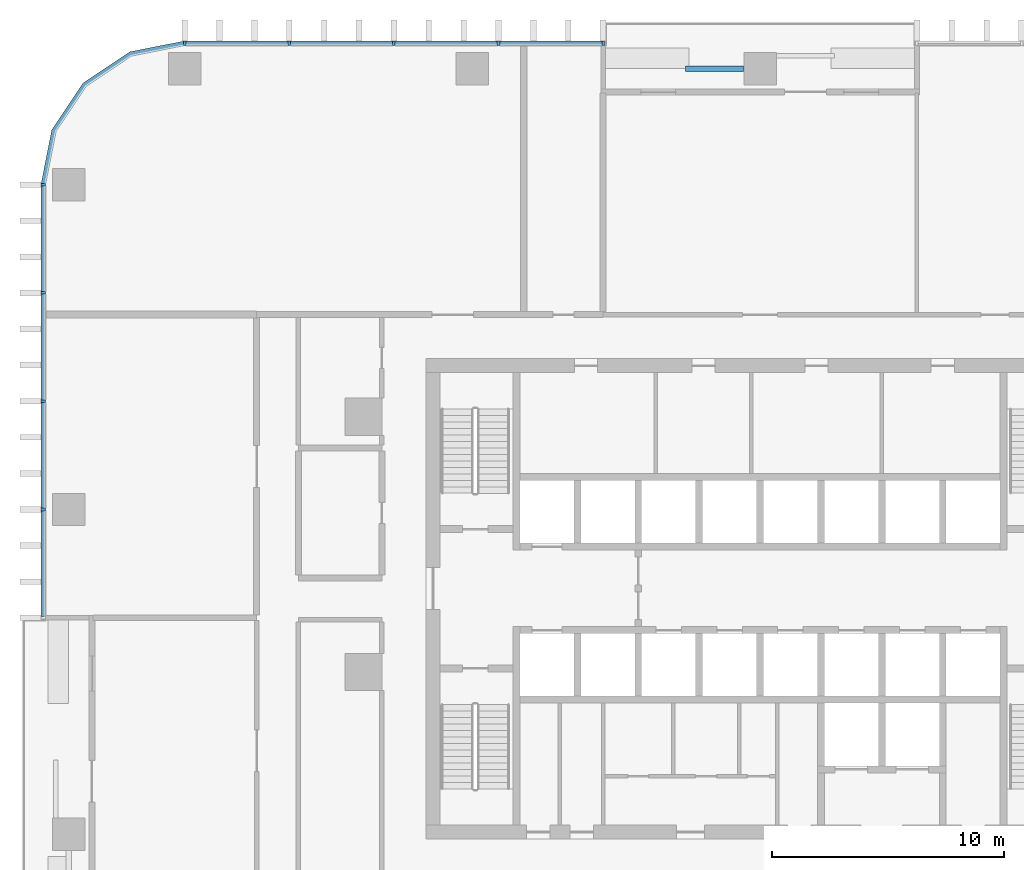
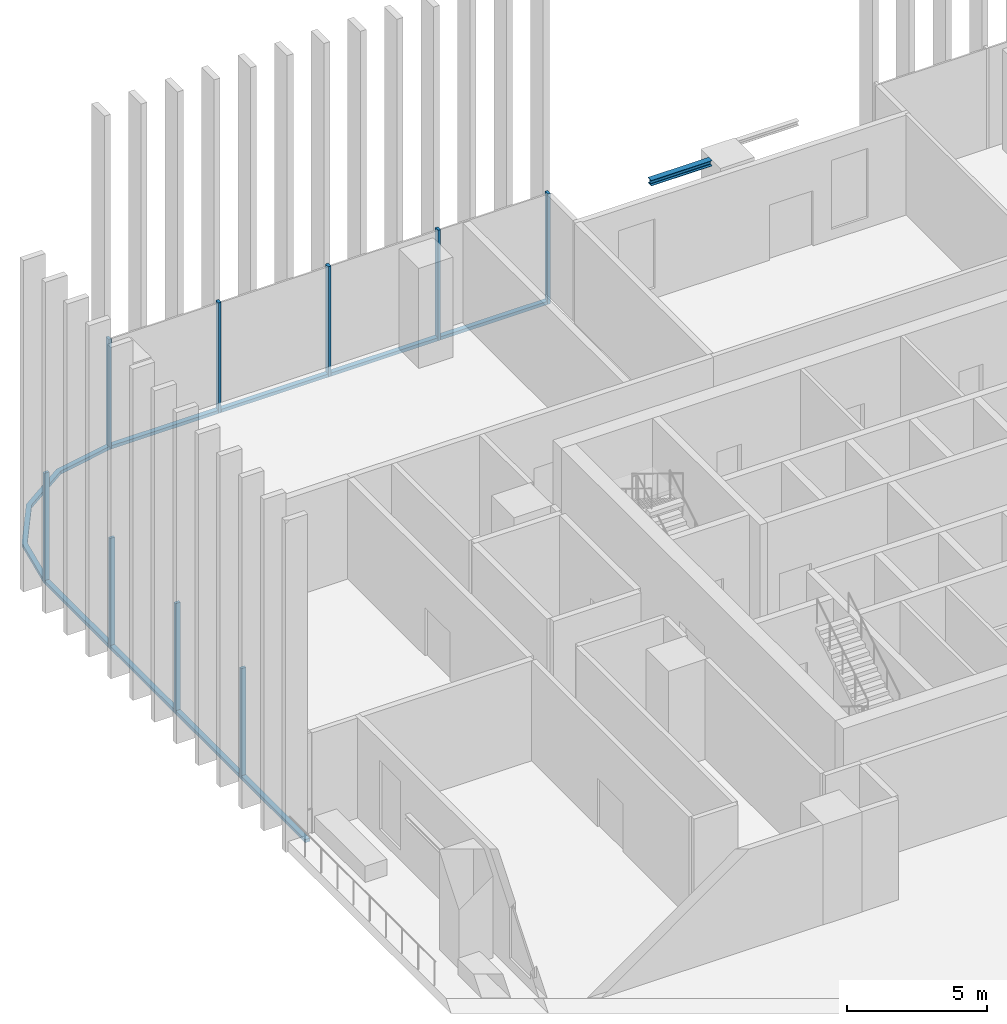
# One storey, part 4 of 17: 18 members, 1 beam, 3 elements without a shape of their own.
"""IFC4 building model written with IfcOpenShell, lengths in metres."""

from ifc_helpers import new_model, si_unit, direction, frame, origin, origin_2d, place, context, subcontext, project, spatial, polyline, rectangle, i_section, outline, extrude, material, material_profile, profile_set, type_object, element, aggregate, save


model = new_model("IFC4")

# Units and contexts
model_context = context("Model", 3, precision=1e-05, world=origin(), true_north=direction((0.0, 1.0)))
body_context = subcontext(model_context, "Body", "Model", "MODEL_VIEW")
ifc_project = project(units=[si_unit("LENGTHUNIT", "METRE"), si_unit("AREAUNIT", "SQUARE_METRE"), si_unit("VOLUMEUNIT", "CUBIC_METRE"), si_unit("PLANEANGLEUNIT", "RADIAN"), si_unit("MASSUNIT", "GRAM", prefix="KILO")], contexts=[model_context])

# Site, building, storey
site_placement = place(None, origin())
site = spatial("IfcSite", under=ifc_project, at=site_placement, CompositionType="ELEMENT")
building_placement = place(site_placement, origin())
building = spatial("IfcBuilding", under=site, at=building_placement, Name="Mopane Tessera Tower", CompositionType="ELEMENT")
storey_placement = place(building_placement, frame((0.0, 0.0, 31.0)))
storey = spatial("IfcBuildingStorey", under=building, at=storey_placement, Name="L05", CompositionType="ELEMENT", Elevation=31.0)

# Curtain wall, members
ifc_material_1 = material(Name="Aluminium frame", Category="aluminium")
curtain_wall_type = type_object("IfcCurtainWallType", Name="Lower tower unitised wall", PredefinedType="NOTDEFINED", material=ifc_material_1)
curtain_wall_1_placement = place(storey_placement, origin())
curtain_wall_1 = element("IfcCurtainWall", 1, at=curtain_wall_1_placement, inside=storey, type_object=curtain_wall_type, Name="e:cw:L05:N:7", PredefinedType="NOTDEFINED")
ifc_material_2 = material(Name="Aluminium frame", Category="aluminium")
ifc_material_profile_1 = material_profile(ifc_material_2, rectangle(XDim=0.110107421875, YDim=0.199951171875, at=origin_2d()))
ifc_profile_set_1 = profile_set([ifc_material_profile_1], Name="Aluminium frame")
member_type_1 = type_object("IfcMemberType", Name="Aluminium mullion 110 x 200", PredefinedType="MULLION", material=ifc_profile_set_1)
member_1_placement = place(storey_placement, frame((-6.763671875, 27.10009765625, -0.449951171875), z_axis=(0.0, 0.0, 1.0), x_axis=(-1.0, 0.0, 0.0)))
member_1 = element("IfcMember", 2, at=member_1_placement, type_object=member_type_1, Name="e:cw:L05:N:7:mu7", PredefinedType="MULLION", context=body_context, shape_type="SweptSolid", body=[
    extrude(rectangle(XDim=0.110107421875, YDim=0.199951171875, at=origin_2d()), origin(), (0.0, 0.0, 1.0), 4.800048828125),
])
member_2_placement = place(storey_placement, frame((-11.272705078125, 27.10009765625, -0.449951171875), z_axis=(0.0, 0.0, 1.0), x_axis=(-1.0, 0.0, 0.0)))
member_2 = element("IfcMember", 3, at=member_2_placement, type_object=member_type_1, Name="e:cw:L05:N:7:mu8", PredefinedType="MULLION", context=body_context, shape_type="SweptSolid", body=[
    extrude(rectangle(XDim=0.110107421875, YDim=0.199951171875, at=origin_2d()), origin(), (0.0, 0.0, 1.0), 4.800048828125),
])
member_3_placement = place(storey_placement, frame((-15.78173828125, 27.10009765625, -0.449951171875), z_axis=(0.0, 0.0, 1.0), x_axis=(-1.0, 0.0, 0.0)))
member_3 = element("IfcMember", 4, at=member_3_placement, type_object=member_type_1, Name="e:cw:L05:N:7:mu9", PredefinedType="MULLION", context=body_context, shape_type="SweptSolid", body=[
    extrude(rectangle(XDim=0.110107421875, YDim=0.199951171875, at=origin_2d()), origin(), (0.0, 0.0, 1.0), 4.800048828125),
])
member_4_placement = place(storey_placement, frame((-20.291015625, 27.10009765625, -0.449951171875), z_axis=(0.0, 0.0, 1.0), x_axis=(-1.0, 0.0, 0.0)))
member_4 = element("IfcMember", 5, at=member_4_placement, type_object=member_type_1, Name="e:cw:L05:N:7:mu10", PredefinedType="MULLION", context=body_context, shape_type="SweptSolid", body=[
    extrude(rectangle(XDim=0.110107421875, YDim=0.199951171875, at=origin_2d()), origin(), (0.0, 0.0, 1.0), 4.800048828125),
])
member_5_placement = place(storey_placement, frame((-24.800048828125, 27.10009765625, -0.449951171875), z_axis=(0.0, 0.0, 1.0), x_axis=(-1.0, 0.0, 0.0)))
member_5 = element("IfcMember", 6, at=member_5_placement, type_object=member_type_1, Name="e:cw:L05:N:7:mu11", PredefinedType="MULLION", context=body_context, shape_type="SweptSolid", body=[
    extrude(rectangle(XDim=0.110107421875, YDim=0.199951171875, at=origin_2d()), origin(), (0.0, 0.0, 1.0), 4.800048828125),
])

curtain_wall_2_placement = place(storey_placement, origin())
curtain_wall_2 = element("IfcCurtainWall", 7, at=curtain_wall_2_placement, inside=storey, type_object=curtain_wall_type, Name="e:cw:L05:W:0", PredefinedType="NOTDEFINED")
member_6_placement = place(storey_placement, frame((-30.89990234375, 21.0, -0.449951171875), z_axis=(0.0, 0.0, 1.0), x_axis=(0.0, -1.0, 0.0)))
member_6 = element("IfcMember", 8, at=member_6_placement, type_object=member_type_1, Name="e:cw:L05:W:0:mu0", PredefinedType="MULLION", context=body_context, shape_type="SweptSolid", body=[
    extrude(rectangle(XDim=0.110107421875, YDim=0.199951171875, at=origin_2d()), origin(), (0.0, 0.0, 1.0), 4.800048828125),
])
member_7_placement = place(storey_placement, frame((-30.89990234375, 16.333251953125, -0.449951171875), z_axis=(0.0, 0.0, 1.0), x_axis=(0.0, -1.0, 0.0)))
member_7 = element("IfcMember", 9, at=member_7_placement, type_object=member_type_1, Name="e:cw:L05:W:0:mu1", PredefinedType="MULLION", context=body_context, shape_type="SweptSolid", body=[
    extrude(rectangle(XDim=0.110107421875, YDim=0.199951171875, at=origin_2d()), origin(), (0.0, 0.0, 1.0), 4.800048828125),
])
member_8_placement = place(storey_placement, frame((-30.89990234375, 11.666748046875, -0.449951171875), z_axis=(0.0, 0.0, 1.0), x_axis=(0.0, -1.0, 0.0)))
member_8 = element("IfcMember", 10, at=member_8_placement, type_object=member_type_1, Name="e:cw:L05:W:0:mu2", PredefinedType="MULLION", context=body_context, shape_type="SweptSolid", body=[
    extrude(rectangle(XDim=0.110107421875, YDim=0.199951171875, at=origin_2d()), origin(), (0.0, 0.0, 1.0), 4.800048828125),
])
member_9_placement = place(storey_placement, frame((-30.89990234375, 7.0, -0.449951171875), z_axis=(0.0, 0.0, 1.0), x_axis=(0.0, -1.0, 0.0)))
member_9 = element("IfcMember", 11, at=member_9_placement, type_object=member_type_1, Name="e:cw:L05:W:0:mu3", PredefinedType="MULLION", context=body_context, shape_type="SweptSolid", body=[
    extrude(rectangle(XDim=0.110107421875, YDim=0.199951171875, at=origin_2d()), origin(), (0.0, 0.0, 1.0), 4.800048828125),
])

# Member
ifc_material_3 = material(Name="Aluminium frame", Category="aluminium")
ifc_material_profile_2 = material_profile(ifc_material_3, rectangle(XDim=0.199951171875, YDim=0.139892578125, at=origin_2d()))
ifc_profile_set_2 = profile_set([ifc_material_profile_2], Name="Aluminium frame")
member_type_2 = type_object("IfcMemberType", Name="Aluminium transom 200 x 140", PredefinedType="USERDEFINED", material=ifc_profile_set_2)
member_10_placement = place(storey_placement, frame((-6.818603515625, 27.10009765625, -0.3798828125), z_axis=(-1.0, 0.0, 0.0), x_axis=(0.0, -1.0, 0.0)))
member_10 = element("IfcMember", 12, at=member_10_placement, type_object=member_type_2, Name="e:cw:L05:N:7:tr7", ObjectType="TRANSOM", PredefinedType="USERDEFINED", context=body_context, shape_type="SweptSolid", body=[
    extrude(rectangle(XDim=0.199951171875, YDim=0.139892578125, at=origin_2d()), origin(), (0.0, 0.0, 1.0), 4.399169921875),
])

member_11_placement = place(storey_placement, frame((-11.32763671875, 27.10009765625, -0.3798828125), z_axis=(-1.0, 0.0, 0.0), x_axis=(0.0, -1.0, 0.0)))
member_11 = element("IfcMember", 13, at=member_11_placement, type_object=member_type_2, Name="e:cw:L05:N:7:tr8", ObjectType="TRANSOM", PredefinedType="USERDEFINED", context=body_context, shape_type="SweptSolid", body=[
    extrude(rectangle(XDim=0.199951171875, YDim=0.139892578125, at=origin_2d()), origin(), (0.0, 0.0, 1.0), 4.399169921875),
])

member_12_placement = place(storey_placement, frame((-15.8369140625, 27.10009765625, -0.3798828125), z_axis=(-1.0, 0.0, 0.0), x_axis=(0.0, -1.0, 0.0)))
member_12 = element("IfcMember", 14, at=member_12_placement, type_object=member_type_2, Name="e:cw:L05:N:7:tr9", ObjectType="TRANSOM", PredefinedType="USERDEFINED", context=body_context, shape_type="SweptSolid", body=[
    extrude(rectangle(XDim=0.199951171875, YDim=0.139892578125, at=origin_2d()), origin(), (0.0, 0.0, 1.0), 4.39892578125),
])

member_13_placement = place(storey_placement, frame((-20.345947265625, 27.10009765625, -0.3798828125), z_axis=(-1.0, 0.0, 0.0), x_axis=(0.0, -1.0, 0.0)))
member_13 = element("IfcMember", 15, at=member_13_placement, type_object=member_type_2, Name="e:cw:L05:N:7:tr10", ObjectType="TRANSOM", PredefinedType="USERDEFINED", context=body_context, shape_type="SweptSolid", body=[
    extrude(rectangle(XDim=0.199951171875, YDim=0.139892578125, at=origin_2d()), origin(), (0.0, 0.0, 1.0), 4.399169921875),
])

aggregate(curtain_wall_1, [member_1, member_2, member_3, member_4, member_5, member_10, member_11, member_12, member_13])

# Curtain wall, member
curtain_wall_3_placement = place(storey_placement, origin())
curtain_wall_3 = element("IfcCurtainWall", 16, at=curtain_wall_3_placement, inside=storey, type_object=curtain_wall_type, Name="e:cw:L05:CN", PredefinedType="NOTDEFINED")
member_14_placement = place(storey_placement, frame((0.0, 0.0, -0.449951171875)))
member_14 = element("IfcMember", 17, at=member_14_placement, type_object=member_type_2, Name="e:cw:L05:CN:tr", ObjectType="TRANSOM", PredefinedType="USERDEFINED", context=body_context, shape_type="SweptSolid", body=[
    extrude(outline(polyline([(-24.800048828125, 27.0), (-27.09619140625, 26.543212890625), (-29.042724609375, 25.24267578125), (-30.34326171875, 23.296142578125), (-30.800048828125, 21.0), (-31.0, 21.0), (-30.528076171875, 23.37255859375), (-29.18408203125, 25.384033203125), (-27.172607421875, 26.72802734375), (-24.800048828125, 27.199951171875), (-24.800048828125, 27.0)])), origin(), (0.0, 0.0, 1.0), 0.139892578125),
])
aggregate(curtain_wall_3, [member_14])

# Member
member_15_placement = place(storey_placement, frame((-30.89990234375, 20.945068359375, -0.3798828125), z_axis=(0.0, -1.0, 0.0), x_axis=(1.0, 0.0, 0.0)))
member_15 = element("IfcMember", 18, at=member_15_placement, type_object=member_type_2, Name="e:cw:L05:W:0:tr0", ObjectType="TRANSOM", PredefinedType="USERDEFINED", context=body_context, shape_type="SweptSolid", body=[
    extrude(rectangle(XDim=0.199951171875, YDim=0.139892578125, at=origin_2d()), origin(), (0.0, 0.0, 1.0), 4.556640625),
])

member_16_placement = place(storey_placement, frame((-30.89990234375, 16.2783203125, -0.3798828125), z_axis=(0.0, -1.0, 0.0), x_axis=(1.0, 0.0, 0.0)))
member_16 = element("IfcMember", 19, at=member_16_placement, type_object=member_type_2, Name="e:cw:L05:W:0:tr1", ObjectType="TRANSOM", PredefinedType="USERDEFINED", context=body_context, shape_type="SweptSolid", body=[
    extrude(rectangle(XDim=0.199951171875, YDim=0.139892578125, at=origin_2d()), origin(), (0.0, 0.0, 1.0), 4.556640625),
])

member_17_placement = place(storey_placement, frame((-30.89990234375, 11.611572265625, -0.3798828125), z_axis=(0.0, -1.0, 0.0), x_axis=(1.0, 0.0, 0.0)))
member_17 = element("IfcMember", 20, at=member_17_placement, type_object=member_type_2, Name="e:cw:L05:W:0:tr2", ObjectType="TRANSOM", PredefinedType="USERDEFINED", context=body_context, shape_type="SweptSolid", body=[
    extrude(rectangle(XDim=0.199951171875, YDim=0.139892578125, at=origin_2d()), origin(), (0.0, 0.0, 1.0), 4.556640625),
])

member_18_placement = place(storey_placement, frame((-30.89990234375, 6.945068359375, -0.3798828125), z_axis=(0.0, -1.0, 0.0), x_axis=(1.0, 0.0, 0.0)))
member_18 = element("IfcMember", 21, at=member_18_placement, type_object=member_type_2, Name="e:cw:L05:W:0:tr3", ObjectType="TRANSOM", PredefinedType="USERDEFINED", context=body_context, shape_type="SweptSolid", body=[
    extrude(rectangle(XDim=0.199951171875, YDim=0.139892578125, at=origin_2d()), origin(), (0.0, 0.0, 1.0), 4.556640625),
])

aggregate(curtain_wall_2, [member_6, member_7, member_8, member_9, member_15, member_16, member_17, member_18])

# Beam
ifc_material_4 = material(Name="Structural steel S460", Category="steel")
ifc_material_profile_3 = material_profile(ifc_material_4, i_section(OverallWidth=0.239990234375, OverallDepth=0.239990234375, WebThickness=0.010009765625, FlangeThickness=0.01708984375, FilletRadius=0.02099609375, at=origin_2d()))
ifc_profile_set_3 = profile_set([ifc_material_profile_3], Name="Structural steel S460")
beam_type = type_object("IfcBeamType", Name="Terrace spandrel beam HE 240 B", PredefinedType="SPANDREL", material=ifc_profile_set_3)
beam_placement = place(storey_placement, frame((-0.702880859375, 26.0, 4.22998046875), z_axis=(-1.0, 0.0, 0.0), x_axis=(0.0, -1.0, 0.0)))
element("IfcBeam", 22, at=beam_placement, inside=storey, type_object=beam_type, Name="Terrace spandrel beam N2 L06", PredefinedType="SPANDREL", context=body_context, shape_type="SweptSolid", body=[
    extrude(i_section(OverallWidth=0.239990234375, OverallDepth=0.239990234375, WebThickness=0.010009765625, FlangeThickness=0.01708984375, FilletRadius=0.02099609375, at=origin_2d()), origin(), (0.0, 0.0, 1.0), 2.5),
])

save(model, "model.ifc")
